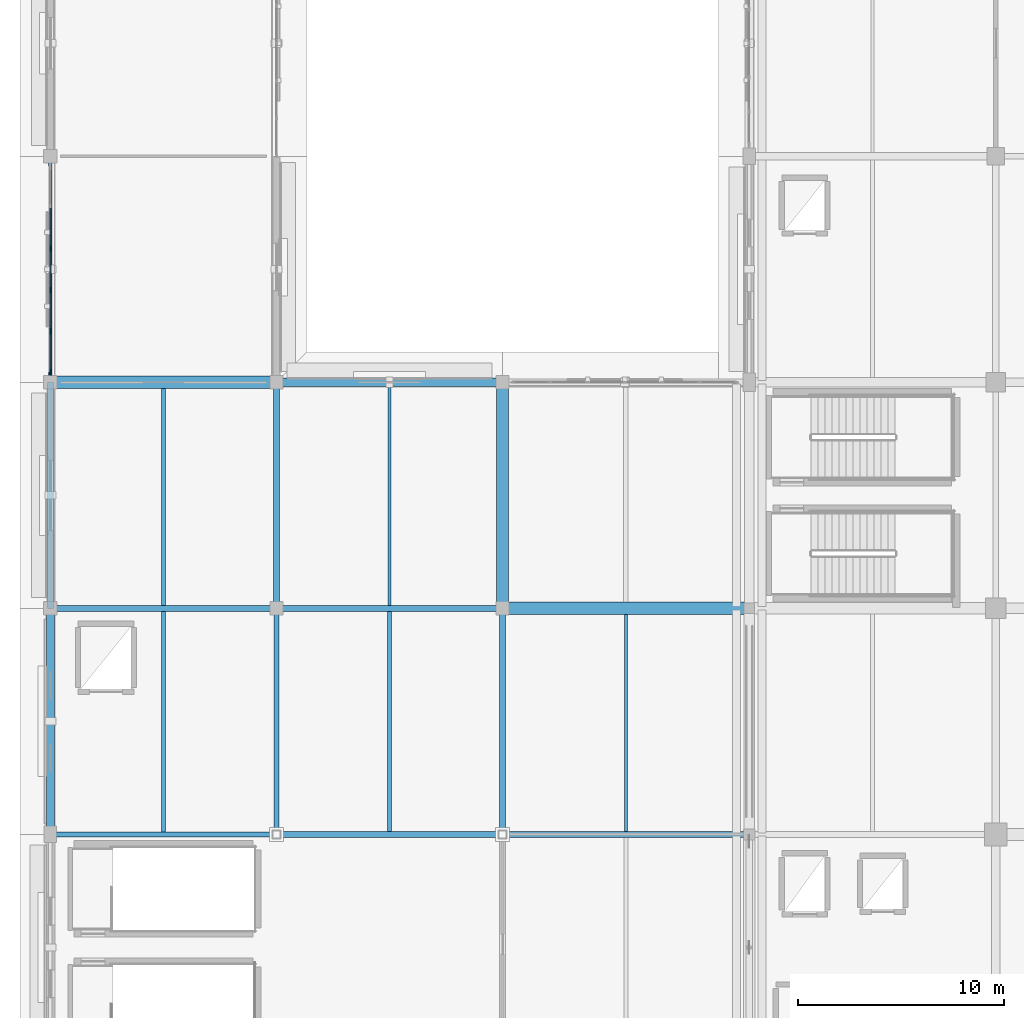
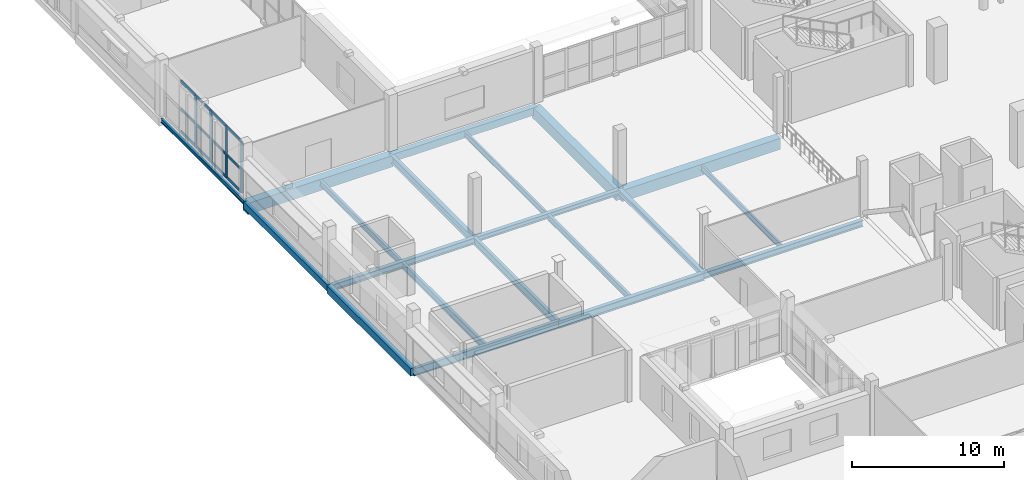
# One storey, part 29 of 118: 20 beams, 16 members, 1 element without a shape of its own.
"""IFC4 building model written with IfcOpenShell, lengths in metres."""

from ifc_helpers import new_model, si_unit, direction, frame, origin, origin_2d, place, context, subcontext, project, spatial, rectangle, hollow_rectangle, i_section, extrude, material, material_profile, profile_set, type_object, element, aggregate, save


model = new_model("IFC4")

# Units and contexts
model_context = context("Model", 3, precision=1e-05, world=origin(), true_north=direction((0.0, 1.0)))
body_context = subcontext(model_context, "Body", "Model", "MODEL_VIEW")
ifc_project = project(units=[si_unit("LENGTHUNIT", "METRE"), si_unit("AREAUNIT", "SQUARE_METRE"), si_unit("VOLUMEUNIT", "CUBIC_METRE"), si_unit("PLANEANGLEUNIT", "RADIAN"), si_unit("MASSUNIT", "GRAM", prefix="KILO")], contexts=[model_context])

# Site, building, storey
site_placement = place(None, origin())
site = spatial("IfcSite", under=ifc_project, at=site_placement, CompositionType="ELEMENT")
building_placement = place(site_placement, origin())
building = spatial("IfcBuilding", under=site, at=building_placement, Name="Luwafu Chhajja Arena", CompositionType="ELEMENT")
storey_placement = place(building_placement, frame((0.0, 0.0, 10.199951171875)))
storey = spatial("IfcBuildingStorey", under=building, at=storey_placement, Name="L02", CompositionType="ELEMENT", Elevation=10.199951171875)

# Beams
ifc_material_1 = material(Name="Steel S355", Category="steel")
ifc_material_profile_1 = material_profile(ifc_material_1, i_section(OverallWidth=0.165771484375, OverallDepth=0.306640625, WebThickness=0.006591796875, FlangeThickness=0.01171875, at=origin_2d()), Name="UB 305x165x46")
ifc_profile_set_1 = profile_set([ifc_material_profile_1], Name="Steel S355")
beam_type_1 = type_object("IfcBeamType", Name="Concourse Edge Spandrel Beam UB 305x165x46", PredefinedType="SPANDREL", material=ifc_profile_set_1)
beam_1_placement = place(storey_placement, frame((0.0, 55.0, -0.543212890625), z_axis=(0.0, 1.0, 0.0), x_axis=(-1.0, 0.0, 0.0)))
element("IfcBeam", 1, at=beam_1_placement, inside=storey, type_object=beam_type_1, Name="L02 Grid Beam 1/F-G", PredefinedType="SPANDREL", context=body_context, shape_type="SweptSolid", body=[
    extrude(i_section(OverallWidth=0.165771484375, OverallDepth=0.306640625, WebThickness=0.006591796875, FlangeThickness=0.01171875, at=origin_2d()), origin(), (0.0, 0.0, 1.0), 11.0),
])
ifc_material_2 = material(Name="Concrete C35/45", Category="concrete")
ifc_material_profile_2 = material_profile(ifc_material_2, rectangle(XDim=0.60009765625, YDim=0.89990234375, at=origin_2d()), Name="RC 600x900")
ifc_profile_set_2 = profile_set([ifc_material_profile_2], Name="Concrete C35/45")
beam_type_2 = type_object("IfcBeamType", Name="Concourse Primary Girder RC 600x900", PredefinedType="BEAM", material=ifc_profile_set_2)
beam_2_placement = place(storey_placement, frame((0.0, 55.0, -0.83984375), z_axis=(1.0, 0.0, 0.0), x_axis=(0.0, 1.0, 0.0)))
element("IfcBeam", 2, at=beam_2_placement, inside=storey, type_object=beam_type_2, Name="L02 Grid Beam 1-2/F", PredefinedType="BEAM", context=body_context, shape_type="SweptSolid", body=[
    extrude(rectangle(XDim=0.60009765625, YDim=0.89990234375, at=origin_2d()), origin(), (0.0, 0.0, 1.0), 11.0),
])
beam_3_placement = place(storey_placement, frame((22.0, 44.0, -0.83984375), z_axis=(1.0, 0.0, 0.0), x_axis=(0.0, 1.0, 0.0)))
element("IfcBeam", 3, at=beam_3_placement, inside=storey, type_object=beam_type_2, Name="L02 Grid Beam 3-4/E", PredefinedType="BEAM", context=body_context, shape_type="SweptSolid", body=[
    extrude(rectangle(XDim=0.60009765625, YDim=0.89990234375, at=origin_2d()), origin(), (0.0, 0.0, 1.0), 12.0),
])
beam_4_placement = place(storey_placement, frame((22.0, 44.0, -0.83984375), z_axis=(0.0, 1.0, 0.0), x_axis=(-1.0, 0.0, 0.0)))
element("IfcBeam", 4, at=beam_4_placement, inside=storey, type_object=beam_type_2, Name="L02 Grid Beam 3/E-F", PredefinedType="BEAM", context=body_context, shape_type="SweptSolid", body=[
    extrude(rectangle(XDim=0.60009765625, YDim=0.89990234375, at=origin_2d()), origin(), (0.0, 0.0, 1.0), 11.0),
])
ifc_material_profile_3 = material_profile(ifc_material_1, i_section(OverallWidth=0.15283203125, OverallDepth=0.45458984375, WebThickness=0.008056640625, FlangeThickness=0.01318359375, at=origin_2d()), Name="UB 457x152x60")
ifc_profile_set_3 = profile_set([ifc_material_profile_3], Name="Steel S355")
beam_type_3 = type_object("IfcBeamType", Name="Floor Joist UB 457x152x60", PredefinedType="JOIST", material=ifc_profile_set_3)
beam_5_placement = place(storey_placement, frame((16.5, 44.14990234375, -0.6171875), z_axis=(0.0, 1.0, 0.0), x_axis=(-1.0, 0.0, 0.0)))
element("IfcBeam", 5, at=beam_5_placement, inside=storey, type_object=beam_type_3, Name="L02 Secondary Joist 2-3/E", PredefinedType="JOIST", context=body_context, shape_type="SweptSolid", body=[
    extrude(i_section(OverallWidth=0.15283203125, OverallDepth=0.45458984375, WebThickness=0.008056640625, FlangeThickness=0.01318359375, at=origin_2d()), origin(), (0.0, 0.0, 1.0), 10.650146484375),
])
beam_6_placement = place(storey_placement, frame((28.0, 33.14990234375, -0.6171875), z_axis=(0.0, 1.0, 0.0), x_axis=(-1.0, 0.0, 0.0)))
element("IfcBeam", 6, at=beam_6_placement, inside=storey, type_object=beam_type_3, Name="L02 Secondary Joist 3-4/D", PredefinedType="JOIST", context=body_context, shape_type="SweptSolid", body=[
    extrude(i_section(OverallWidth=0.15283203125, OverallDepth=0.45458984375, WebThickness=0.008056640625, FlangeThickness=0.01318359375, at=origin_2d()), origin(), (0.0, 0.0, 1.0), 10.550048828125),
])
ifc_material_profile_4 = material_profile(ifc_material_1, i_section(OverallWidth=0.19140625, OverallDepth=0.4599609375, WebThickness=0.010009765625, FlangeThickness=0.01611328125, at=origin_2d()), Name="UB 457x191x82")
ifc_profile_set_4 = profile_set([ifc_material_profile_4], Name="Steel S355")
beam_type_4 = type_object("IfcBeamType", Name="Floor Joist UB 457x191x82", PredefinedType="JOIST", material=ifc_profile_set_4)
beam_7_placement = place(storey_placement, frame((5.5, 44.14990234375, -0.619873046875), z_axis=(0.0, 1.0, 0.0), x_axis=(-1.0, 0.0, 0.0)))
element("IfcBeam", 7, at=beam_7_placement, inside=storey, type_object=beam_type_4, Name="L02 Secondary Joist 1-2/E", PredefinedType="JOIST", context=body_context, shape_type="SweptSolid", body=[
    extrude(i_section(OverallWidth=0.19140625, OverallDepth=0.4599609375, WebThickness=0.010009765625, FlangeThickness=0.01611328125, at=origin_2d()), origin(), (0.0, 0.0, 1.0), 10.550048828125),
])
beam_8_placement = place(storey_placement, frame((16.5, 33.14990234375, -0.619873046875), z_axis=(0.0, 1.0, 0.0), x_axis=(-1.0, 0.0, 0.0)))
element("IfcBeam", 8, at=beam_8_placement, inside=storey, type_object=beam_type_4, Name="L02 Secondary Joist 2-3/D", PredefinedType="JOIST", context=body_context, shape_type="SweptSolid", body=[
    extrude(i_section(OverallWidth=0.19140625, OverallDepth=0.4599609375, WebThickness=0.010009765625, FlangeThickness=0.01611328125, at=origin_2d()), origin(), (0.0, 0.0, 1.0), 10.7001953125),
])
ifc_material_profile_5 = material_profile(ifc_material_1, i_section(OverallWidth=0.209228515625, OverallDepth=0.533203125, WebThickness=0.010009765625, FlangeThickness=0.015625, at=origin_2d()), Name="UB 533x210x92")
ifc_profile_set_5 = profile_set([ifc_material_profile_5], Name="Steel S355")
beam_type_5 = type_object("IfcBeamType", Name="Floor Joist UB 533x210x92", PredefinedType="JOIST", material=ifc_profile_set_5)
beam_9_placement = place(storey_placement, frame((5.5, 33.114501953125, -0.656494140625), z_axis=(0.0, 1.0, 0.0), x_axis=(-1.0, 0.0, 0.0)))
element("IfcBeam", 9, at=beam_9_placement, inside=storey, type_object=beam_type_5, Name="L02 Secondary Joist 1-2/D", PredefinedType="JOIST", context=body_context, shape_type="SweptSolid", body=[
    extrude(i_section(OverallWidth=0.209228515625, OverallDepth=0.533203125, WebThickness=0.010009765625, FlangeThickness=0.015625, at=origin_2d()), origin(), (0.0, 0.0, 1.0), 10.735595703125),
])

# Curtain wall, members
ifc_material_3 = material(Name="Anodised bronze aluminium", Category="aluminium")
curtain_wall_type = type_object("IfcCurtainWallType", Name="Pishtaq Monumental Portal Curtain Wall", PredefinedType="USERDEFINED", material=ifc_material_3)
curtain_wall_placement = place(storey_placement, origin())
curtain_wall = element("IfcCurtainWall", 10, at=curtain_wall_placement, inside=storey, type_object=curtain_wall_type, Name="L02 Curtain Wall CWG-L02-V00_05", ObjectType="CURTAIN WALL", PredefinedType="USERDEFINED")
ifc_material_profile_6 = material_profile(ifc_material_3, rectangle(XDim=0.080078125, YDim=0.280029296875, at=origin_2d()), Name="CWM 80x280")
ifc_profile_set_6 = profile_set([ifc_material_profile_6], Name="Anodised bronze aluminium")
member_type_1 = type_object("IfcMemberType", Name="Pishtaq Portal Mullion 80x280", PredefinedType="MULLION", material=ifc_profile_set_6)
member_1_placement = place(storey_placement, frame((0.0, 55.5048828125, 0.030029296875), z_axis=(0.0, 0.0, 1.0), x_axis=(-1.0, 0.0, 0.0)))
member_1 = element("IfcMember", 11, at=member_1_placement, type_object=member_type_1, Name="CW-04 mullion 1", PredefinedType="MULLION", context=body_context, shape_type="SweptSolid", body=[
    extrude(rectangle(XDim=0.080078125, YDim=0.280029296875, at=origin_2d()), origin(), (0.0, 0.0, 1.0), 4.114990234375),
])
member_2_placement = place(storey_placement, frame((0.0, 57.47900390625, 0.030029296875), z_axis=(0.0, 0.0, 1.0), x_axis=(-1.0, 0.0, 0.0)))
member_2 = element("IfcMember", 12, at=member_2_placement, type_object=member_type_1, Name="CW-04 mullion 2", PredefinedType="MULLION", context=body_context, shape_type="SweptSolid", body=[
    extrude(rectangle(XDim=0.080078125, YDim=0.280029296875, at=origin_2d()), origin(), (0.0, 0.0, 1.0), 4.114990234375),
])
member_3_placement = place(storey_placement, frame((0.0, 59.492919921875, 0.030029296875), z_axis=(0.0, 0.0, 1.0), x_axis=(-1.0, 0.0, 0.0)))
member_3 = element("IfcMember", 13, at=member_3_placement, type_object=member_type_1, Name="CW-04 mullion 3", PredefinedType="MULLION", context=body_context, shape_type="SweptSolid", body=[
    extrude(rectangle(XDim=0.080078125, YDim=0.280029296875, at=origin_2d()), origin(), (0.0, 0.0, 1.0), 4.114990234375),
])
member_4_placement = place(storey_placement, frame((0.0, 61.507080078125, 0.030029296875), z_axis=(0.0, 0.0, 1.0), x_axis=(-1.0, 0.0, 0.0)))
member_4 = element("IfcMember", 14, at=member_4_placement, type_object=member_type_1, Name="CW-04 mullion 4", PredefinedType="MULLION", context=body_context, shape_type="SweptSolid", body=[
    extrude(rectangle(XDim=0.080078125, YDim=0.280029296875, at=origin_2d()), origin(), (0.0, 0.0, 1.0), 4.114990234375),
])
ifc_material_profile_7 = material_profile(ifc_material_3, rectangle(XDim=0.080078125, YDim=0.2099609375, at=origin_2d()), Name="CWT 80x210")
ifc_profile_set_7 = profile_set([ifc_material_profile_7], Name="Anodised bronze aluminium")
member_type_2 = type_object("IfcMemberType", Name="Pishtaq Portal Transom 80x210", PredefinedType="USERDEFINED", material=ifc_profile_set_7)
member_5_placement = place(storey_placement, frame((0.0, 55.544921875, 0.070068359375), z_axis=(0.0, 1.0, 0.0), x_axis=(-1.0, 0.0, 0.0)))
member_5 = element("IfcMember", 15, at=member_5_placement, type_object=member_type_2, Name="CW-04 transom 1.1", ObjectType="TRANSOM", PredefinedType="USERDEFINED", context=body_context, shape_type="SweptSolid", body=[
    extrude(rectangle(XDim=0.080078125, YDim=0.2099609375, at=origin_2d()), origin(), (0.0, 0.0, 1.0), 1.89404296875),
])
member_6_placement = place(storey_placement, frame((0.0, 55.544921875, 1.865234375), z_axis=(0.0, 1.0, 0.0), x_axis=(-1.0, 0.0, 0.0)))
member_6 = element("IfcMember", 16, at=member_6_placement, type_object=member_type_2, Name="CW-04 transom 1.2", ObjectType="TRANSOM", PredefinedType="USERDEFINED", context=body_context, shape_type="SweptSolid", body=[
    extrude(rectangle(XDim=0.080078125, YDim=0.2099609375, at=origin_2d()), origin(), (0.0, 0.0, 1.0), 1.89404296875),
])
member_7_placement = place(storey_placement, frame((0.0, 55.544921875, 4.10498046875), z_axis=(0.0, 1.0, 0.0), x_axis=(-1.0, 0.0, 0.0)))
member_7 = element("IfcMember", 17, at=member_7_placement, type_object=member_type_2, Name="CW-04 transom 1.3", ObjectType="TRANSOM", PredefinedType="USERDEFINED", context=body_context, shape_type="SweptSolid", body=[
    extrude(rectangle(XDim=0.080078125, YDim=0.2099609375, at=origin_2d()), origin(), (0.0, 0.0, 1.0), 1.89404296875),
])
member_8_placement = place(storey_placement, frame((0.0, 57.51904296875, 0.070068359375), z_axis=(0.0, 1.0, 0.0), x_axis=(-1.0, 0.0, 0.0)))
member_8 = element("IfcMember", 18, at=member_8_placement, type_object=member_type_2, Name="CW-04 transom 2.1", ObjectType="TRANSOM", PredefinedType="USERDEFINED", context=body_context, shape_type="SweptSolid", body=[
    extrude(rectangle(XDim=0.080078125, YDim=0.2099609375, at=origin_2d()), origin(), (0.0, 0.0, 1.0), 1.933837890625),
])
member_9_placement = place(storey_placement, frame((0.0, 57.51904296875, 1.865234375), z_axis=(0.0, 1.0, 0.0), x_axis=(-1.0, 0.0, 0.0)))
member_9 = element("IfcMember", 19, at=member_9_placement, type_object=member_type_2, Name="CW-04 transom 2.2", ObjectType="TRANSOM", PredefinedType="USERDEFINED", context=body_context, shape_type="SweptSolid", body=[
    extrude(rectangle(XDim=0.080078125, YDim=0.2099609375, at=origin_2d()), origin(), (0.0, 0.0, 1.0), 1.933837890625),
])
member_10_placement = place(storey_placement, frame((0.0, 57.51904296875, 4.10498046875), z_axis=(0.0, 1.0, 0.0), x_axis=(-1.0, 0.0, 0.0)))
member_10 = element("IfcMember", 20, at=member_10_placement, type_object=member_type_2, Name="CW-04 transom 2.3", ObjectType="TRANSOM", PredefinedType="USERDEFINED", context=body_context, shape_type="SweptSolid", body=[
    extrude(rectangle(XDim=0.080078125, YDim=0.2099609375, at=origin_2d()), origin(), (0.0, 0.0, 1.0), 1.933837890625),
])
member_11_placement = place(storey_placement, frame((0.0, 59.532958984375, 0.070068359375), z_axis=(0.0, 1.0, 0.0), x_axis=(-1.0, 0.0, 0.0)))
member_11 = element("IfcMember", 21, at=member_11_placement, type_object=member_type_2, Name="CW-04 transom 3.1", ObjectType="TRANSOM", PredefinedType="USERDEFINED", context=body_context, shape_type="SweptSolid", body=[
    extrude(rectangle(XDim=0.080078125, YDim=0.2099609375, at=origin_2d()), origin(), (0.0, 0.0, 1.0), 1.93408203125),
])
member_12_placement = place(storey_placement, frame((0.0, 59.532958984375, 1.865234375), z_axis=(0.0, 1.0, 0.0), x_axis=(-1.0, 0.0, 0.0)))
member_12 = element("IfcMember", 22, at=member_12_placement, type_object=member_type_2, Name="CW-04 transom 3.2", ObjectType="TRANSOM", PredefinedType="USERDEFINED", context=body_context, shape_type="SweptSolid", body=[
    extrude(rectangle(XDim=0.080078125, YDim=0.2099609375, at=origin_2d()), origin(), (0.0, 0.0, 1.0), 1.93408203125),
])
member_13_placement = place(storey_placement, frame((0.0, 59.532958984375, 4.10498046875), z_axis=(0.0, 1.0, 0.0), x_axis=(-1.0, 0.0, 0.0)))
member_13 = element("IfcMember", 23, at=member_13_placement, type_object=member_type_2, Name="CW-04 transom 3.3", ObjectType="TRANSOM", PredefinedType="USERDEFINED", context=body_context, shape_type="SweptSolid", body=[
    extrude(rectangle(XDim=0.080078125, YDim=0.2099609375, at=origin_2d()), origin(), (0.0, 0.0, 1.0), 1.93408203125),
])
member_14_placement = place(storey_placement, frame((0.0, 61.547119140625, 0.070068359375), z_axis=(0.0, 1.0, 0.0), x_axis=(-1.0, 0.0, 0.0)))
member_14 = element("IfcMember", 24, at=member_14_placement, type_object=member_type_2, Name="CW-04 transom 4.1", ObjectType="TRANSOM", PredefinedType="USERDEFINED", context=body_context, shape_type="SweptSolid", body=[
    extrude(rectangle(XDim=0.080078125, YDim=0.2099609375, at=origin_2d()), origin(), (0.0, 0.0, 1.0), 1.933837890625),
])
member_15_placement = place(storey_placement, frame((0.0, 61.547119140625, 1.865234375), z_axis=(0.0, 1.0, 0.0), x_axis=(-1.0, 0.0, 0.0)))
member_15 = element("IfcMember", 25, at=member_15_placement, type_object=member_type_2, Name="CW-04 transom 4.2", ObjectType="TRANSOM", PredefinedType="USERDEFINED", context=body_context, shape_type="SweptSolid", body=[
    extrude(rectangle(XDim=0.080078125, YDim=0.2099609375, at=origin_2d()), origin(), (0.0, 0.0, 1.0), 1.933837890625),
])
member_16_placement = place(storey_placement, frame((0.0, 61.547119140625, 4.10498046875), z_axis=(0.0, 1.0, 0.0), x_axis=(-1.0, 0.0, 0.0)))
member_16 = element("IfcMember", 26, at=member_16_placement, type_object=member_type_2, Name="CW-04 transom 4.3", ObjectType="TRANSOM", PredefinedType="USERDEFINED", context=body_context, shape_type="SweptSolid", body=[
    extrude(rectangle(XDim=0.080078125, YDim=0.2099609375, at=origin_2d()), origin(), (0.0, 0.0, 1.0), 1.933837890625),
])
aggregate(curtain_wall, [member_1, member_2, member_3, member_4, member_5, member_6, member_7, member_8, member_9, member_10, member_11, member_12, member_13, member_14, member_15, member_16])

# Beams
ifc_material_profile_8 = material_profile(ifc_material_1, hollow_rectangle(XDim=0.300048828125, YDim=0.5, WallThickness=0.02001953125, at=origin_2d()), Name="RHS 500x300x20")
ifc_profile_set_8 = profile_set([ifc_material_profile_8], Name="Steel S355")
beam_type_6 = type_object("IfcBeamType", Name="Pleated Drum Spandrel Beam RHS 500x300", PredefinedType="SPANDREL", material=ifc_profile_set_8)
beam_10_placement = place(storey_placement, frame((0.0, 44.0, -0.639892578125), z_axis=(0.0, 1.0, 0.0), x_axis=(-1.0, 0.0, 0.0)))
element("IfcBeam", 27, at=beam_10_placement, inside=storey, type_object=beam_type_6, Name="L02 Grid Beam 1/E-F", PredefinedType="SPANDREL", context=body_context, shape_type="SweptSolid", body=[
    extrude(hollow_rectangle(XDim=0.300048828125, YDim=0.5, WallThickness=0.02001953125, at=origin_2d()), origin(), (0.0, 0.0, 1.0), 11.0),
])
ifc_material_profile_9 = material_profile(ifc_material_2, rectangle(XDim=0.39990234375, YDim=0.60009765625, at=origin_2d()), Name="RC 400x600")
ifc_profile_set_9 = profile_set([ifc_material_profile_9], Name="Concrete C35/45")
beam_type_7 = type_object("IfcBeamType", Name="Podium Perimeter Spandrel RC 400x600", PredefinedType="SPANDREL", material=ifc_profile_set_9)
for number, where, z_axis, x_axis, name in (
    (28, (11.0, 55.0, -0.68994140625), (1.0, 0.0, 0.0), (0.0, 1.0, 0.0), "L02 Grid Beam 2-3/F"),
    (29, (0.0, 33.0, -0.68994140625), (0.0, 1.0, 0.0), (-1.0, 0.0, 0.0), "L02 Grid Beam 1/D-E"),
):
    element("IfcBeam", number, at=place(storey_placement, frame(where, z_axis=z_axis, x_axis=x_axis)), inside=storey, type_object=beam_type_7, Name=name, PredefinedType="SPANDREL", context=body_context, shape_type="SweptSolid", body=[
        extrude(rectangle(XDim=0.39990234375, YDim=0.60009765625, at=origin_2d()), origin(), (0.0, 0.0, 1.0), 11.0),
    ])
ifc_material_profile_10 = material_profile(ifc_material_1, i_section(OverallWidth=0.300048828125, OverallDepth=0.5, WebThickness=0.014404296875, FlangeThickness=0.028076171875, at=origin_2d()), Name="HEB 500")
ifc_profile_set_10 = profile_set([ifc_material_profile_10], Name="Steel S355")
beam_type_8 = type_object("IfcBeamType", Name="Steel Atrium Tie Girder HEB 500", PredefinedType="BEAM", material=ifc_profile_set_10)
beam_11_placement = place(storey_placement, frame((0.0, 44.0, -0.639892578125), z_axis=(1.0, 0.0, 0.0), x_axis=(0.0, 1.0, 0.0)))
element("IfcBeam", 30, at=beam_11_placement, inside=storey, type_object=beam_type_8, Name="L02 Grid Beam 1-2/E", PredefinedType="BEAM", context=body_context, shape_type="SweptSolid", body=[
    extrude(i_section(OverallWidth=0.300048828125, OverallDepth=0.5, WebThickness=0.014404296875, FlangeThickness=0.028076171875, at=origin_2d()), origin(), (0.0, 0.0, 1.0), 11.0),
])
beam_12_placement = place(storey_placement, frame((22.0, 33.0, -0.639892578125), z_axis=(1.0, 0.0, 0.0), x_axis=(0.0, 1.0, 0.0)))
element("IfcBeam", 31, at=beam_12_placement, inside=storey, type_object=beam_type_8, Name="L02 Grid Beam 3-4/D", PredefinedType="BEAM", context=body_context, shape_type="SweptSolid", body=[
    extrude(i_section(OverallWidth=0.300048828125, OverallDepth=0.5, WebThickness=0.014404296875, FlangeThickness=0.028076171875, at=origin_2d()), origin(), (0.0, 0.0, 1.0), 12.0),
])
ifc_material_profile_11 = material_profile(ifc_material_1, i_section(OverallWidth=0.300048828125, OverallDepth=0.60009765625, WebThickness=0.015380859375, FlangeThickness=0.030029296875, at=origin_2d()), Name="HEB 600")
ifc_profile_set_11 = profile_set([ifc_material_profile_11], Name="Steel S355")
beam_type_9 = type_object("IfcBeamType", Name="Steel Gallery Girder HEB 600", PredefinedType="BEAM", material=ifc_profile_set_11)
for number, where, z_axis, x_axis, name in (
    (32, (11.0, 33.0, -0.68994140625), (1.0, 0.0, 0.0), (0.0, 1.0, 0.0), "L02 Grid Beam 2-3/D"),
    (33, (11.0, 44.0, -0.68994140625), (0.0, 1.0, 0.0), (-1.0, 0.0, 0.0), "L02 Grid Beam 2/E-F"),
):
    element("IfcBeam", number, at=place(storey_placement, frame(where, z_axis=z_axis, x_axis=x_axis)), inside=storey, type_object=beam_type_9, Name=name, PredefinedType="BEAM", context=body_context, shape_type="SweptSolid", body=[
        extrude(i_section(OverallWidth=0.300048828125, OverallDepth=0.60009765625, WebThickness=0.015380859375, FlangeThickness=0.030029296875, at=origin_2d()), origin(), (0.0, 0.0, 1.0), 11.0),
    ])
ifc_material_profile_12 = material_profile(ifc_material_1, i_section(OverallWidth=0.22900390625, OverallDepth=0.6123046875, WebThickness=0.011962890625, FlangeThickness=0.01953125, at=origin_2d()), Name="UB 610x229x125")
ifc_profile_set_12 = profile_set([ifc_material_profile_12], Name="Steel S355")
beam_type_10 = type_object("IfcBeamType", Name="Steel Mezzanine Girder UB 610x229x125", PredefinedType="BEAM", material=ifc_profile_set_12)
for number, where, z_axis, x_axis, name in (
    (34, (0.0, 33.0, -0.696044921875), (1.0, 0.0, 0.0), (0.0, 1.0, 0.0), "L02 Grid Beam 1-2/D"),
    (35, (11.0, 33.0, -0.696044921875), (0.0, 1.0, 0.0), (-1.0, 0.0, 0.0), "L02 Grid Beam 2/D-E"),
):
    element("IfcBeam", number, at=place(storey_placement, frame(where, z_axis=z_axis, x_axis=x_axis)), inside=storey, type_object=beam_type_10, Name=name, PredefinedType="BEAM", context=body_context, shape_type="SweptSolid", body=[
        extrude(i_section(OverallWidth=0.22900390625, OverallDepth=0.6123046875, WebThickness=0.011962890625, FlangeThickness=0.01953125, at=origin_2d()), origin(), (0.0, 0.0, 1.0), 11.0),
    ])
ifc_material_profile_13 = material_profile(ifc_material_1, i_section(OverallWidth=0.300048828125, OverallDepth=0.39990234375, WebThickness=0.013427734375, FlangeThickness=0.02392578125, at=origin_2d()), Name="HEB 400")
ifc_profile_set_13 = profile_set([ifc_material_profile_13], Name="Steel S355")
beam_type_11 = type_object("IfcBeamType", Name="Steel Rigging Grid Beam HEB 400", PredefinedType="BEAM", material=ifc_profile_set_13)
for number, where, z_axis, x_axis, name in (
    (36, (11.0, 44.0, -0.58984375), (1.0, 0.0, 0.0), (0.0, 1.0, 0.0), "L02 Grid Beam 2-3/E"),
    (37, (22.0, 33.0, -0.58984375), (0.0, 1.0, 0.0), (-1.0, 0.0, 0.0), "L02 Grid Beam 3/D-E"),
):
    element("IfcBeam", number, at=place(storey_placement, frame(where, z_axis=z_axis, x_axis=x_axis)), inside=storey, type_object=beam_type_11, Name=name, PredefinedType="BEAM", context=body_context, shape_type="SweptSolid", body=[
        extrude(i_section(OverallWidth=0.300048828125, OverallDepth=0.39990234375, WebThickness=0.013427734375, FlangeThickness=0.02392578125, at=origin_2d()), origin(), (0.0, 0.0, 1.0), 11.0),
    ])

save(model, "model.ifc")
